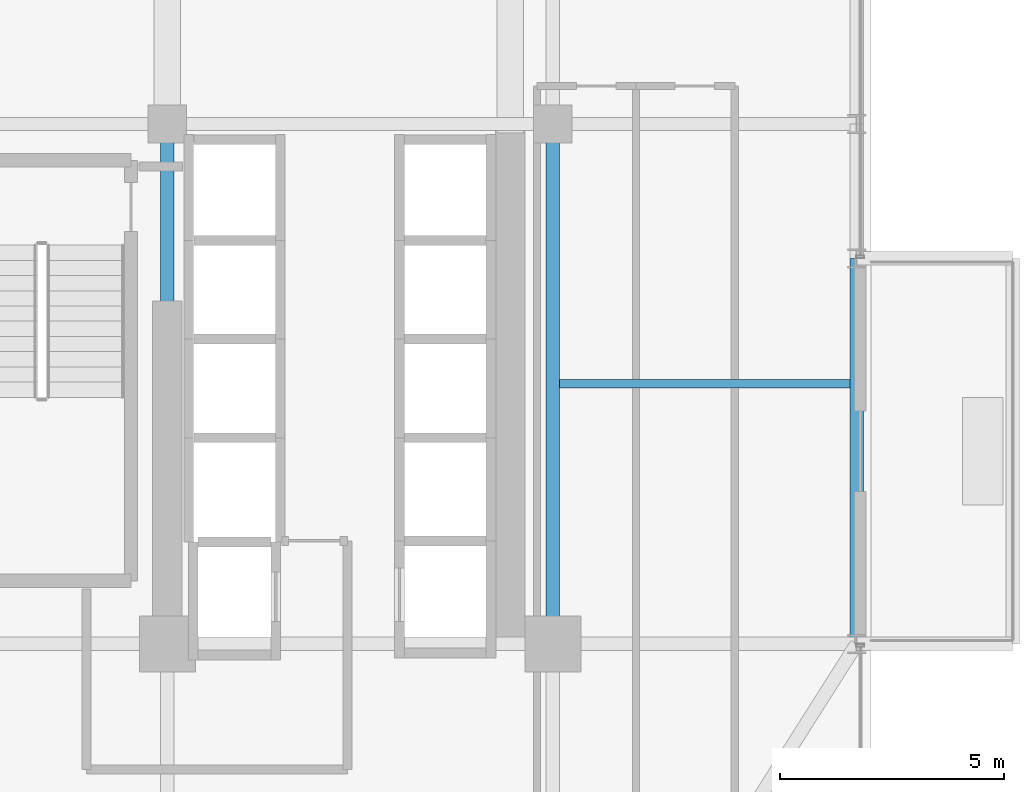
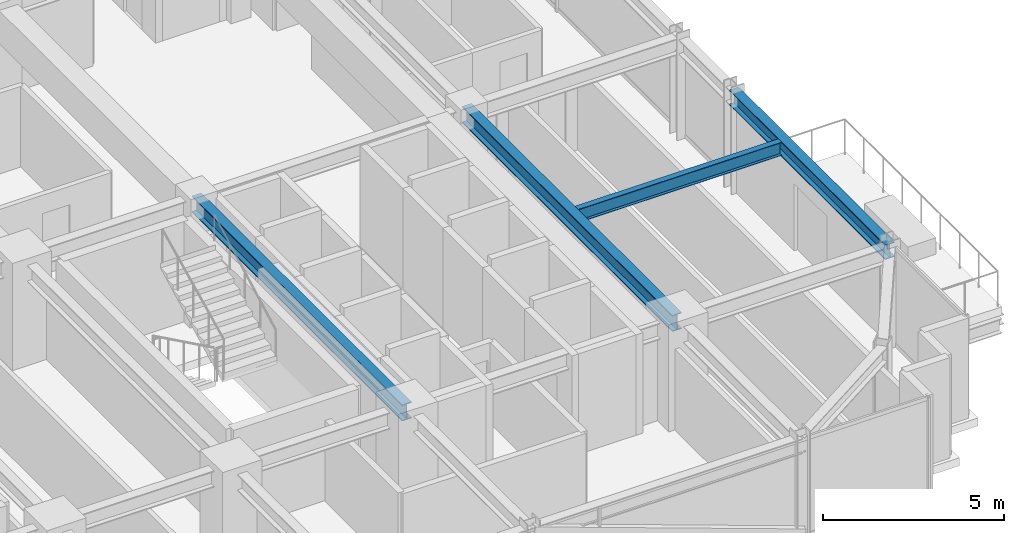
# One storey, part 12 of 34: 4 beams.
"""IFC4 building model written with IfcOpenShell, lengths in metres."""

from ifc_helpers import new_model, si_unit, direction, frame, origin, origin_2d, place, context, subcontext, project, spatial, i_section, extrude, source, transform, mapped, material, material_profile, profile_set, type_object, element, save


model = new_model("IFC4")

# Units and contexts
model_context = context("Model", 3, precision=1e-05, world=origin(), true_north=direction((0.0, 1.0)))
body_context = subcontext(model_context, "Body", "Model", "MODEL_VIEW")
ifc_project = project(units=[si_unit("LENGTHUNIT", "METRE"), si_unit("AREAUNIT", "SQUARE_METRE"), si_unit("VOLUMEUNIT", "CUBIC_METRE"), si_unit("PLANEANGLEUNIT", "RADIAN"), si_unit("MASSUNIT", "GRAM", prefix="KILO")], contexts=[model_context])

# Site, building, storey
site_placement = place(None, origin())
site = spatial("IfcSite", under=ifc_project, at=site_placement, CompositionType="ELEMENT")
building_placement = place(site_placement, origin())
building = spatial("IfcBuilding", under=site, at=building_placement, Name="Nahalor Promenade Grand Hotel", CompositionType="ELEMENT")
storey_placement = place(building_placement, frame((0.0, 0.0, 128.449951171875)))
storey = spatial("IfcBuildingStorey", under=building, at=storey_placement, Name="L32", CompositionType="ELEMENT", Elevation=128.449951171875)

# Beams
ifc_material = material(Name="Steel S355JR", Category="steel")
ifc_material_profile_1 = material_profile(ifc_material, i_section(OverallWidth=0.3, OverallDepth=0.5, WebThickness=0.0145, FlangeThickness=0.028, at=origin_2d()), Name="HEB 500")
ifc_profile_set_1 = profile_set([ifc_material_profile_1], Name="Steel S355JR")
beam_type_1 = type_object("IfcBeamType", Name="Beam-Spandrel-HEB500", PredefinedType="SPANDREL", material=ifc_profile_set_1)
shared_shape_1 = source(origin(), body_context, "Body", "SweptSolid", [
    extrude(i_section(OverallWidth=0.3, OverallDepth=0.5, WebThickness=0.0145, FlangeThickness=0.028, at=origin_2d()), origin(), (0.0, 0.0, 1.0), 8.60009765625),
])
beam_1_placement = place(storey_placement, frame((23.780029296875, -17.0, 3.130126953125), z_axis=(0.0, 1.0, 0.0), x_axis=(-1.0, 0.0, 0.0)))
element("IfcBeam", 1, at=beam_1_placement, inside=storey, type_object=beam_type_1, Name="BM-L32-SP-E-0", PredefinedType="SPANDREL", context=body_context, shape_type="MappedRepresentation", body=[
    mapped(shared_shape_1, transform((0.0, 0.0, 0.0), scale=1.0)),
])
ifc_material_profile_2 = material_profile(ifc_material, i_section(OverallWidth=0.3, OverallDepth=0.55, WebThickness=0.015, FlangeThickness=0.029, at=origin_2d()), Name="HEB 550")
ifc_profile_set_2 = profile_set([ifc_material_profile_2], Name="Steel S355JR")
beam_type_2 = type_object("IfcBeamType", Name="Beam-Girder-HEB550", PredefinedType="BEAM", material=ifc_profile_set_2)
shared_shape_2 = source(origin(), body_context, "Body", "SweptSolid", [
    extrude(i_section(OverallWidth=0.3, OverallDepth=0.55, WebThickness=0.015, FlangeThickness=0.029, at=origin_2d()), origin(), (0.0, 0.0, 1.0), 11.60009765625),
])
for number, where, z_axis, x_axis, name in (
    (2, (8.39990234375, -17.0, 3.10498046875), (0.0, 1.0, 0.0), (-1.0, 0.0, 0.0), "BM-L32-GY-4-1"),
    (3, (17.0, -17.0, 3.10498046875), (0.0, 1.0, 0.0), (-1.0, 0.0, 0.0), "BM-L32-GY-5-1"),
):
    element("IfcBeam", number, at=place(storey_placement, frame(where, z_axis=z_axis, x_axis=x_axis)), inside=storey, type_object=beam_type_2, Name=name, PredefinedType="BEAM", context=body_context, shape_type="MappedRepresentation", body=[
        mapped(shared_shape_2, transform((0.0, 0.0, 0.0), scale=1.0)),
    ])
ifc_material_profile_3 = material_profile(ifc_material, i_section(OverallWidth=0.19, OverallDepth=0.45, WebThickness=0.0094, FlangeThickness=0.0146, at=origin_2d()), Name="IPE 450")
ifc_profile_set_3 = profile_set([ifc_material_profile_3], Name="Steel S355JR")
beam_type_3 = type_object("IfcBeamType", Name="Beam-Joist-IPE450", PredefinedType="JOIST", material=ifc_profile_set_3)
shared_shape_3 = source(origin(), body_context, "Body", "SweptSolid", [
    extrude(i_section(OverallWidth=0.19, OverallDepth=0.45, WebThickness=0.0094, FlangeThickness=0.0146, at=origin_2d()), origin(), (0.0, 0.0, 1.0), 6.47998046875),
])
beam_2_placement = place(storey_placement, frame((17.14990234375, -11.199951171875, 3.155029296875), z_axis=(1.0, 0.0, 0.0), x_axis=(0.0, 1.0, 0.0)))
element("IfcBeam", 4, at=beam_2_placement, inside=storey, type_object=beam_type_3, Name="BM-L32-JSE-0-2", PredefinedType="JOIST", context=body_context, shape_type="MappedRepresentation", body=[
    mapped(shared_shape_3, transform((0.0, 0.0, 0.0), scale=1.0)),
])

save(model, "model.ifc")
